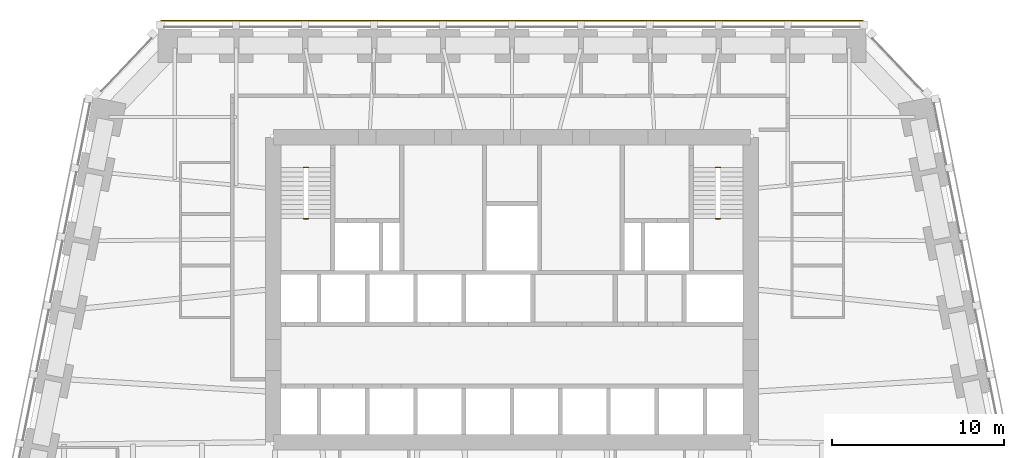
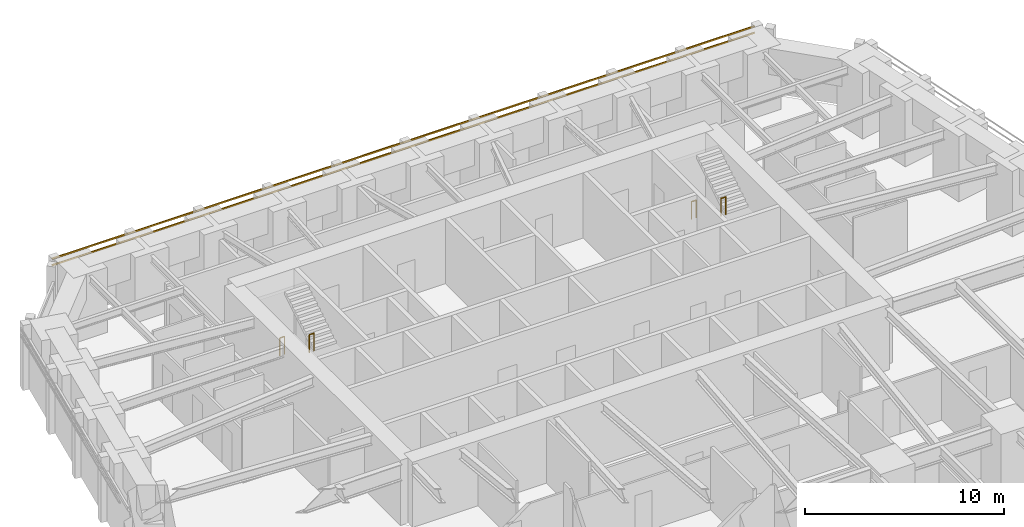
# One storey, part 10 of 10: 4 railings, 2 shading devices.
"""IFC4 building model written with IfcOpenShell, lengths in metres."""

import ifcopenshell
import ifcopenshell.guid

model = None  # the IFC model being written
_history = None  # IfcOwnerHistory: only IFC2X3 demands one
_inside = {}  # id of a spatial element -> (the spatial element, [elements in it])
_under = {}  # id of a project, library or spatial element -> (it, [spatial elements below it])
_declared = {}  # id of a project -> (the project, [libraries it declares])
_typed = {}  # id of a type object -> (the type object, [elements of that type])
_made_of = {}  # id of a material, layer set ... -> (it, [elements and type objects made of it])


def new_model(schema):
    """Start an empty IFC model of exactly this schema.

    Asked for "IFC4X3", IfcOpenShell would pick the latest addendum, in which some entities
    have other attributes; the version numbers below select the first issue.
    IFC2X3 requires an IfcOwnerHistory on every rooted entity: one is made here for all.
    """
    global model, _history
    if schema == "IFC4X3":
        model = ifcopenshell.file(schema_version=(4, 3, 0, 0))
    else:
        model = ifcopenshell.file(schema=schema)
    _inside.clear()
    _under.clear()
    _declared.clear()
    _typed.clear()
    _made_of.clear()
    _history = None
    if model.schema == "IFC2X3":
        org = make("IfcOrganization", Name="unknown")
        user = make(
            "IfcPersonAndOrganization",
            ThePerson=make("IfcPerson", FamilyName="unknown"),
            TheOrganization=org,
        )
        app = make(
            "IfcApplication",
            ApplicationDeveloper=org,
            Version="unknown",
            ApplicationFullName="unknown",
            ApplicationIdentifier="unknown",
        )
        _history = make(
            "IfcOwnerHistory",
            OwningUser=user,
            OwningApplication=app,
            ChangeAction="ADDED",
            CreationDate=0,
        )
    return model


def make(cls, **values):
    """One entity of the class cls with the attributes given. An attribute that is None is left unset."""
    return model.create_entity(
        cls, **{name: value for name, value in values.items() if value is not None}
    )


def rooted(cls, **values):
    """An entity with a GlobalId (a new one), such as an element, a storey or a relation."""
    return make(cls, GlobalId=ifcopenshell.guid.new(), OwnerHistory=_history, **values)


def si_unit(unit_type, name, prefix=None):
    """IfcSIUnit, for example si_unit("LENGTHUNIT", "METRE", prefix="MILLI")."""
    return make("IfcSIUnit", UnitType=unit_type, Prefix=prefix, Name=name)


def assignment(units):
    """IfcUnitAssignment: the units of a project."""
    return None if units is None else make("IfcUnitAssignment", Units=units)


def point(xyz):
    """IfcCartesianPoint."""
    return None if xyz is None else make("IfcCartesianPoint", Coordinates=xyz)


def direction(xyz):
    """IfcDirection."""
    return None if xyz is None else make("IfcDirection", DirectionRatios=xyz)


def frame(location, z_axis=None, x_axis=None):
    """IfcAxis2Placement3D, a coordinate frame: its origin and axes. An axis left out is left unset."""
    return make(
        "IfcAxis2Placement3D",
        Location=point(location),
        Axis=direction(z_axis),
        RefDirection=direction(x_axis),
    )


def frame_2d(location, x_axis=None):
    """IfcAxis2Placement2D, a coordinate frame in the plane: its origin and x axis."""
    return make(
        "IfcAxis2Placement2D", Location=point(location), RefDirection=direction(x_axis)
    )


def origin():
    """The frame at (0, 0, 0) with its axes left unset."""
    return frame((0.0, 0.0, 0.0))


def origin_2d():
    """The frame at (0, 0) in the plane with its x axis left unset."""
    return frame_2d((0.0, 0.0))


def place(relative_to, where):
    """IfcLocalPlacement: puts the frame where relative to a parent placement (None: the world)."""
    return make(
        "IfcLocalPlacement", PlacementRelTo=relative_to, RelativePlacement=where
    )


def context(
    kind, dimensions, precision=None, world=None, true_north=None, identifier=None
):
    """IfcGeometricRepresentationContext, for example the 3D "Model" context."""
    return make(
        "IfcGeometricRepresentationContext",
        ContextIdentifier=identifier,
        ContextType=kind,
        CoordinateSpaceDimension=dimensions,
        Precision=precision,
        WorldCoordinateSystem=world,
        TrueNorth=true_north,
    )


def subcontext(parent, identifier, kind, view, scale=None):
    """IfcGeometricRepresentationSubContext, for example "Body" below "Model"."""
    return make(
        "IfcGeometricRepresentationSubContext",
        ContextIdentifier=identifier,
        ContextType=kind,
        ParentContext=parent,
        TargetScale=scale,
        TargetView=view,
    )


def project(units=None, contexts=None):
    """IfcProject with its units and contexts."""
    return rooted(
        "IfcProject",
        Name="project",
        RepresentationContexts=contexts,
        UnitsInContext=assignment(units),
    )


def spatial(cls, under=None, at=None, **own):
    """A site, building, storey or space (cls), placed at a placement, below another one or the project."""
    s = rooted(cls, ObjectPlacement=at, **own)
    if under is not None:
        _under.setdefault(under.id(), (under, []))[1].append(s)
    return s


def profile(cls, at=None, kind="AREA", **sizes):
    """A parametric profile (cls). Its sizes go by their IFC names, for example OverallWidth=200.0."""
    return make(cls, ProfileType=kind, Position=at, **sizes)


def rectangle(**sizes):
    """IfcRectangleProfileDef."""
    return profile("IfcRectangleProfileDef", **sizes)


def circle(**sizes):
    """IfcCircleProfileDef."""
    return profile("IfcCircleProfileDef", **sizes)


def extrude(swept, where, along, depth):
    """IfcExtrudedAreaSolid: the profile swept, set in the frame where, extruded along a direction by depth."""
    return make(
        "IfcExtrudedAreaSolid",
        SweptArea=swept,
        Position=where,
        ExtrudedDirection=direction(along),
        Depth=depth,
    )


def shape(context_of_items, identifier, shape_type, items):
    """IfcShapeRepresentation: the items that make up one representation, for example the "Body"."""
    return make(
        "IfcShapeRepresentation",
        ContextOfItems=context_of_items,
        RepresentationIdentifier=identifier,
        RepresentationType=shape_type,
        Items=items,
    )


def material(Name=None, Category=None):
    """IfcMaterial."""
    return make("IfcMaterial", Name=Name, Category=Category)


def material_profile(
    of_material, cross_section, Name=None, Category=None, Priority=None
):
    """IfcMaterialProfile: a cross section and its material."""
    return make(
        "IfcMaterialProfile",
        Name=Name,
        Material=of_material,
        Profile=cross_section,
        Priority=Priority,
        Category=Category,
    )


def profile_set(profiles, Name=None, composite=None):
    """IfcMaterialProfileSet."""
    return make(
        "IfcMaterialProfileSet",
        Name=Name,
        MaterialProfiles=profiles,
        CompositeProfile=composite,
    )


def made_of(thing, what):
    """Note that an element or type object is made of a material, layer set ...; save() writes the relation."""
    if what is not None:
        _made_of.setdefault(what.id(), (what, []))[1].append(thing)
    return thing


def type_object(cls, material=None, **own):
    """A type object (cls), such as IfcWallType, which elements share."""
    return made_of(rooted(cls, **own), material)


def element(
    cls,
    number,
    at=None,
    inside=None,
    cuts=None,
    type_object=None,
    material=None,
    context=None,
    identifier="Body",
    shape_type=None,
    held_by="IfcProductDefinitionShape",
    body=None,
    shapes=None,
    **own,
):
    """One element of the class cls, such as IfcWall. Its Tag is "e" and its number.

    at: its placement. inside: the storey or other place that contains it. cuts: it is an
    opening in that element (IfcRelVoidsElement). A single representation is given by context,
    identifier, shape_type and body (its items); several are given by shapes. held_by: the class
    of the entity that holds the representations. save() writes the other relations.
    """
    e = rooted(cls, Tag="e%d" % number, ObjectPlacement=at, **own)
    if body is not None:
        shapes = [shape(context, identifier, shape_type, body)]
    if shapes is not None:
        e.Representation = make(held_by, Representations=shapes)
    if inside is not None:
        _inside.setdefault(inside.id(), (inside, []))[1].append(e)
    if cuts is not None:
        rooted(
            "IfcRelVoidsElement", RelatingBuildingElement=cuts, RelatedOpeningElement=e
        )
    if type_object is not None:
        _typed.setdefault(type_object.id(), (type_object, []))[1].append(e)
    return made_of(e, material)


def aggregate(whole, parts):
    """IfcRelAggregates: a whole, such as a stair, and the parts it consists of."""
    return rooted("IfcRelAggregates", RelatingObject=whole, RelatedObjects=parts)


def save(model, path):
    """Write the relations noted so far, then the file.

    IfcRelAggregates (storeys below a building ...), IfcRelContainedInSpatialStructure (elements
    in a storey), IfcRelDefinesByType, IfcRelAssociatesMaterial and IfcRelDeclares: one each for
    every whole, place, type object, material and project.
    """
    for whole, parts in _under.values():
        aggregate(whole, parts)
    for where, things in _inside.values():
        rooted(
            "IfcRelContainedInSpatialStructure",
            RelatedElements=things,
            RelatingStructure=where,
        )
    for kind, things in _typed.values():
        rooted("IfcRelDefinesByType", RelatedObjects=things, RelatingType=kind)
    for what, things in _made_of.values():
        rooted("IfcRelAssociatesMaterial", RelatedObjects=things, RelatingMaterial=what)
    for by, libraries in _declared.values():
        rooted("IfcRelDeclares", RelatingContext=by, RelatedDefinitions=libraries)
    model.write(path)


model = new_model("IFC4")

# Units and contexts
model_context = context("Model", 3, precision=1e-05, world=origin(), true_north=direction((0.0, 1.0)))
body_context = subcontext(model_context, "Body", "Model", "MODEL_VIEW")
ifc_project = project(units=[si_unit("LENGTHUNIT", "METRE"), si_unit("AREAUNIT", "SQUARE_METRE"), si_unit("VOLUMEUNIT", "CUBIC_METRE"), si_unit("PLANEANGLEUNIT", "RADIAN"), si_unit("MASSUNIT", "GRAM", prefix="KILO")], contexts=[model_context])

# Site, building, storey
site_placement = place(None, origin())
site = spatial("IfcSite", under=ifc_project, at=site_placement, CompositionType="ELEMENT")
building_placement = place(site_placement, origin())
building = spatial("IfcBuilding", under=site, at=building_placement, Name="Isbrekke Arena Tower", CompositionType="ELEMENT")
storey_placement = place(building_placement, frame((0.0, 0.0, 76.0)))
storey = spatial("IfcBuildingStorey", under=building, at=storey_placement, Name="L16", CompositionType="ELEMENT", Elevation=76.0)

# Shading devices
ifc_material_1 = material(Name="Terracotta", Category="masonry")
ifc_material_profile = material_profile(ifc_material_1, rectangle(XDim=0.06005859375, YDim=0.06005859375, at=origin_2d()), Name="BAGUETTE 60X60")
ifc_profile_set = profile_set([ifc_material_profile], Name="Terracotta")
shading_device_type = type_object("IfcShadingDeviceType", Name="BG1 TERRACOTTA BAGUETTE 60 x 60", PredefinedType="USERDEFINED", material=ifc_profile_set)
for number, where, z_axis, x_axis, name in (
    (1, (20.39990234375, 30.6298828125, 3.280029296875), (-1.0, 0.0, 0.0), (0.0, -1.0, 0.0), "BG1 terracotta baguette N1 L16"),
    (2, (20.39990234375, 30.6298828125, 3.679931640625), (-1.0, 0.0, 0.0), (0.0, -1.0, 0.0), "BG1 terracotta baguette N2 L16"),
):
    element("IfcShadingDevice", number, at=place(storey_placement, frame(where, z_axis=z_axis, x_axis=x_axis)), inside=storey, type_object=shading_device_type, Name=name, ObjectType="TERRACOTTA BAGUETTE", PredefinedType="USERDEFINED", context=body_context, shape_type="SweptSolid", body=[
        extrude(rectangle(XDim=0.06005859375, YDim=0.06005859375, at=origin_2d()), origin(), (0.0, 0.0, 1.0), 40.7998046875),
    ])

# Railings
ifc_material_2 = material(Name="Steel stair guard, vertical bars, steel handrail", Category="steel")
railing_type = type_object("IfcRailingType", Name="GR3 STAIR WELL GUARD 1100", PredefinedType="GUARDRAIL", material=ifc_material_2)
for number, where, name in (
    (3, (-12.10009765625, 22.10009765625, 0.0), "GR3 stair well guard ST1 L16"),
    (4, (-12.10009765625, 19.1298828125, 2.0), "GR3 stair well guard ST1 L16"),
    (5, (11.824951171875, 22.10009765625, 0.0), "GR3 stair well guard ST2 L16"),
    (6, (11.824951171875, 19.1298828125, 2.0), "GR3 stair well guard ST2 L16"),
):
    element("IfcRailing", number, at=place(storey_placement, frame(where)), inside=storey, type_object=railing_type, Name=name, PredefinedType="GUARDRAIL", context=body_context, shape_type="SweptSolid", body=[
        extrude(circle(Radius=0.02392578125, at=origin_2d()), frame((0.0, 0.0, 1.076171875), z_axis=(1.0, 0.0, 0.0), x_axis=(0.0, 1.0, 0.0)), (0.0, 0.0, 1.0), 0.275146484375),
        extrude(circle(Radius=0.02099609375, at=origin_2d()), origin(), (0.0, 0.0, 1.0), 1.052001953125),
        extrude(circle(Radius=0.02099609375, at=origin_2d()), frame((0.275146484375, 0.0, 0.0)), (0.0, 0.0, 1.0), 1.052001953125),
    ])

save(model, "model.ifc")
